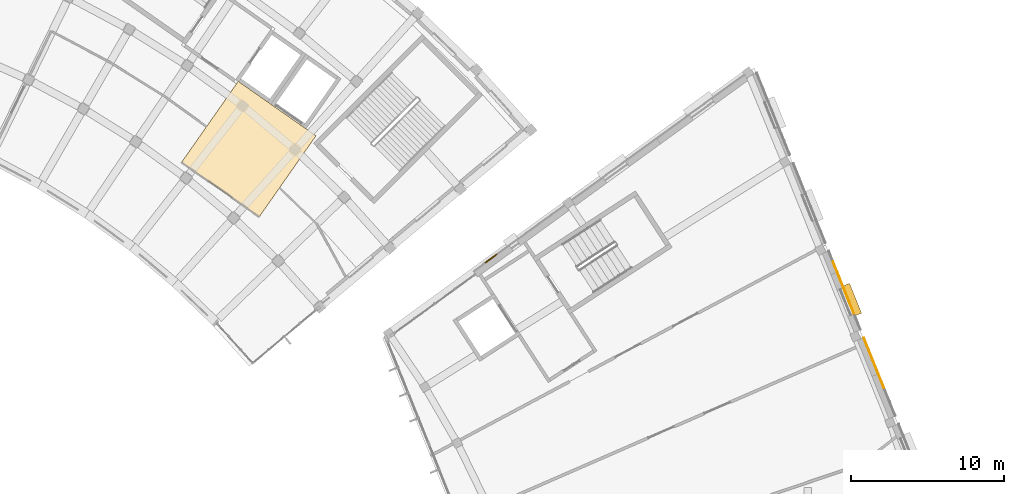
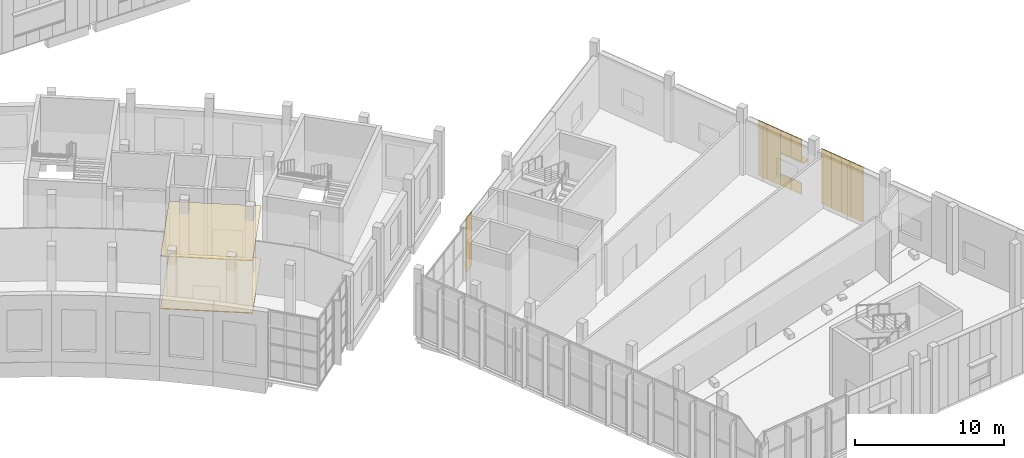
# One storey, part 79 of 87: 13 coverings, 1 shading device.
"""IFC4 building model written with IfcOpenShell, lengths in metres."""

from ifc_helpers import new_model, si_unit, direction, frame, origin, origin_2d, place, context, subcontext, project, spatial, polyline, rectangle, outline, extrude, material, layer, layer_set, type_object, element, save


model = new_model("IFC4")

# Units and contexts
model_context = context("Model", 3, precision=1e-05, world=origin(), true_north=direction((0.0, 1.0)))
body_context = subcontext(model_context, "Body", "Model", "MODEL_VIEW")
ifc_project = project(units=[si_unit("LENGTHUNIT", "METRE"), si_unit("AREAUNIT", "SQUARE_METRE"), si_unit("VOLUMEUNIT", "CUBIC_METRE"), si_unit("PLANEANGLEUNIT", "RADIAN"), si_unit("MASSUNIT", "GRAM", prefix="KILO")], contexts=[model_context])

# Site, building, storey
site_placement = place(None, origin())
site = spatial("IfcSite", under=ifc_project, at=site_placement, CompositionType="ELEMENT")
building_placement = place(site_placement, origin())
building = spatial("IfcBuilding", under=site, at=building_placement, Name="Lunette Opera House", CompositionType="ELEMENT")
storey_placement = place(building_placement, frame((0.0, 0.0, 11.5)))
storey = spatial("IfcBuildingStorey", under=building, at=storey_placement, Name="L02", CompositionType="ELEMENT", Elevation=11.5)

# Coverings
ifc_material_1 = material(Name="Aluminium standing seam cladding", Category="aluminium")
ifc_layer_1 = layer(ifc_material_1, 0.06005859375)
ifc_layer_set_1 = layer_set([ifc_layer_1], Name="Aluminium standing seam cladding")
covering_type_1 = type_object("IfcCoveringType", Name="STANDING SEAM CLADDING 60", PredefinedType="CLADDING", material=ifc_layer_set_1)
covering_1_placement = place(storey_placement, frame((177.10302734375, 32.4609375, 0.0), z_axis=(0.0, 0.0, 1.0), x_axis=(-0.37440754113, 0.927264252058, 0.0)))
element("IfcCovering", 1, at=covering_1_placement, inside=storey, type_object=covering_type_1, Name="Standing Seam Cladding 60 SZ L02", PredefinedType="CLADDING", context=body_context, shape_type="SweptSolid", body=[
    extrude(rectangle(XDim=0.989990234375, YDim=0.06005859375, at=origin_2d()), origin(), (0.0, 0.0, 1.0), 4.5),
])
for number, where, z_axis, x_axis, name in (
    (2, (176.758056640625, 33.31396484375, 0.0), (0.0, 0.0, 1.0), (-0.374703685828, 0.927144620772, 0.0), "Standing Seam Cladding 60 SZ L02"),
    (3, (176.43994140625, 34.10107421875, 0.0), (0.0, 0.0, 1.0), (-0.374703685828, 0.927144620772, 0.0), "Standing Seam Cladding 60 SZ L02"),
    (4, (176.1220703125, 34.888916015625, 0.0), (0.0, 0.0, 1.0), (-0.374703685828, 0.927144620772, 0.0), "Standing Seam Cladding 60 SZ L02"),
):
    element("IfcCovering", number, at=place(storey_placement, frame(where, z_axis=z_axis, x_axis=x_axis)), inside=storey, type_object=covering_type_1, Name=name, PredefinedType="CLADDING", context=body_context, shape_type="SweptSolid", body=[
        extrude(rectangle(XDim=0.85009765625, YDim=0.06005859375, at=origin_2d()), origin(), (0.0, 0.0, 1.0), 4.5),
    ])
covering_2_placement = place(storey_placement, frame((175.162109375, 37.26708984375, 0.0), z_axis=(0.0, 0.0, 1.0), x_axis=(-0.374658376547, 0.927162931142, 0.0)))
element("IfcCovering", 5, at=covering_2_placement, inside=storey, type_object=covering_type_1, Name="Standing Seam Cladding 60 SZ L02", PredefinedType="CLADDING", context=body_context, shape_type="SweptSolid", body=[
    extrude(rectangle(XDim=0.89990234375, YDim=0.06005859375, at=origin_2d()), origin(), (0.0, 0.0, 1.0), 0.949951171875),
])
covering_3_placement = place(storey_placement, frame((175.162109375, 37.26708984375, 2.7001953125), z_axis=(0.0, 0.0, 1.0), x_axis=(-0.374658376547, 0.927162931142, 0.0)))
element("IfcCovering", 6, at=covering_3_placement, inside=storey, type_object=covering_type_1, Name="Standing Seam Cladding 60 SZ L02", PredefinedType="CLADDING", context=body_context, shape_type="SweptSolid", body=[
    extrude(rectangle(XDim=0.89990234375, YDim=0.06005859375, at=origin_2d()), origin(), (0.0, 0.0, 1.0), 1.800048828125),
])
covering_4_placement = place(storey_placement, frame((174.823974609375, 38.10107421875, 0.0), z_axis=(0.0, 0.0, 1.0), x_axis=(-0.374658376547, 0.927162931142, 0.0)))
element("IfcCovering", 7, at=covering_4_placement, inside=storey, type_object=covering_type_1, Name="Standing Seam Cladding 60 SZ L02", PredefinedType="CLADDING", context=body_context, shape_type="SweptSolid", body=[
    extrude(rectangle(XDim=0.89990234375, YDim=0.06005859375, at=origin_2d()), origin(), (0.0, 0.0, 1.0), 0.949951171875),
])
covering_5_placement = place(storey_placement, frame((174.823974609375, 38.10107421875, 2.7001953125), z_axis=(0.0, 0.0, 1.0), x_axis=(-0.374658376547, 0.927162931142, 0.0)))
element("IfcCovering", 8, at=covering_5_placement, inside=storey, type_object=covering_type_1, Name="Standing Seam Cladding 60 SZ L02", PredefinedType="CLADDING", context=body_context, shape_type="SweptSolid", body=[
    extrude(rectangle(XDim=0.89990234375, YDim=0.06005859375, at=origin_2d()), origin(), (0.0, 0.0, 1.0), 1.800048828125),
])
covering_6_placement = place(storey_placement, frame((174.444091796875, 39.0419921875, 0.0), z_axis=(0.0, 0.0, 1.0), x_axis=(-0.374658376547, 0.927162931142, 0.0)))
element("IfcCovering", 9, at=covering_6_placement, inside=storey, type_object=covering_type_1, Name="Standing Seam Cladding 60 SZ L02", PredefinedType="CLADDING", context=body_context, shape_type="SweptSolid", body=[
    extrude(rectangle(XDim=1.1298828125, YDim=0.06005859375, at=origin_2d()), origin(), (0.0, 0.0, 1.0), 4.5),
])
covering_7_placement = place(storey_placement, frame((174.093994140625, 39.908935546875, 0.0), z_axis=(0.0, 0.0, 1.0), x_axis=(-0.374653521928, 0.927164892836, 0.0)))
element("IfcCovering", 10, at=covering_7_placement, inside=storey, type_object=covering_type_1, Name="Standing Seam Cladding 60 SZ L02", PredefinedType="CLADDING", context=body_context, shape_type="SweptSolid", body=[
    extrude(rectangle(XDim=0.739013671875, YDim=0.06005859375, at=origin_2d()), origin(), (0.0, 0.0, 1.0), 4.5),
])
covering_8_placement = place(storey_placement, frame((151.636962890625, 40.4599609375, 0.0), z_axis=(0.0, 0.0, 1.0), x_axis=(-0.809046743824, -0.58774430351, 0.0)))
element("IfcCovering", 11, at=covering_8_placement, inside=storey, type_object=covering_type_1, Name="Standing Seam Cladding 60 SZ L02", PredefinedType="CLADDING", context=body_context, shape_type="SweptSolid", body=[
    extrude(rectangle(XDim=0.965087890625, YDim=0.06005859375, at=origin_2d()), origin(), (0.0, 0.0, 1.0), 4.39990234375),
])
ifc_material_2 = material(Name="Mineral fibre board")
ifc_layer_2 = layer(ifc_material_2, 0.014892578125)
ifc_layer_set_2 = layer_set([ifc_layer_2], Name="Mineral fibre board")
covering_type_2 = type_object("IfcCoveringType", Name="SUSPENDED ACOUSTIC CEILING 15", PredefinedType="CEILING", material=ifc_layer_set_2)
covering_9_placement = place(storey_placement, frame((0.0, 0.0, 4.31494140625)))
element("IfcCovering", 12, at=covering_9_placement, inside=storey, type_object=covering_type_2, Name="Ceiling Open Lift Lobby L02 East", PredefinedType="CEILING", context=body_context, shape_type="SweptSolid", body=[
    extrude(outline(polyline([(131.4140625, 46.739990234375), (136.491943359375, 43.18408203125), (140.19189453125, 48.468017578125), (135.113037109375, 52.02392578125), (131.4140625, 46.739990234375)])), origin(), (0.0, 0.0, 1.0), 0.01513671875),
])
ifc_material_3 = material(Name="Terrazzo")
ifc_layer_3 = layer(ifc_material_3, 0.06005859375)
ifc_layer_set_3 = layer_set([ifc_layer_3], Name="Terrazzo")
covering_type_3 = type_object("IfcCoveringType", Name="TERRAZZO FLOOR FINISH 60", PredefinedType="FLOORING", material=ifc_layer_set_3)
covering_10_placement = place(storey_placement, origin())
element("IfcCovering", 13, at=covering_10_placement, inside=storey, type_object=covering_type_3, Name="Floor finish Open Lift Lobby L02 East", PredefinedType="FLOORING", context=body_context, shape_type="SweptSolid", body=[
    extrude(outline(polyline([(131.4140625, 46.739990234375), (136.491943359375, 43.18408203125), (140.19189453125, 48.468017578125), (135.113037109375, 52.02392578125), (131.4140625, 46.739990234375)])), origin(), (0.0, 0.0, 1.0), 0.06005859375),
])

# Shading device
ifc_material_4 = material(Name="Powder-coated aluminium", Category="aluminium")
ifc_layer_4 = layer(ifc_material_4, 0.1201171875)
ifc_layer_set_4 = layer_set([ifc_layer_4], Name="Powder-coated aluminium")
shading_device_type = type_object("IfcShadingDeviceType", Name="WINDOW HOOD 500 X 2100", PredefinedType="USERDEFINED", material=ifc_layer_set_4)
shading_device_placement = place(storey_placement, frame((175.197021484375, 37.76611328125, 2.579833984375), z_axis=(0.0, 0.0, 1.0), x_axis=(0.927162931142, 0.374658376547, 0.0)))
element("IfcShadingDevice", 14, at=shading_device_placement, inside=storey, type_object=shading_device_type, Name="Window hood SB-N2019", ObjectType="WINDOW HOOD", PredefinedType="USERDEFINED", context=body_context, shape_type="SweptSolid", body=[
    extrude(rectangle(XDim=0.5, YDim=2.10009765625, at=origin_2d()), origin(), (0.0, 0.0, 1.0), 0.1201171875),
])

save(model, "model.ifc")
